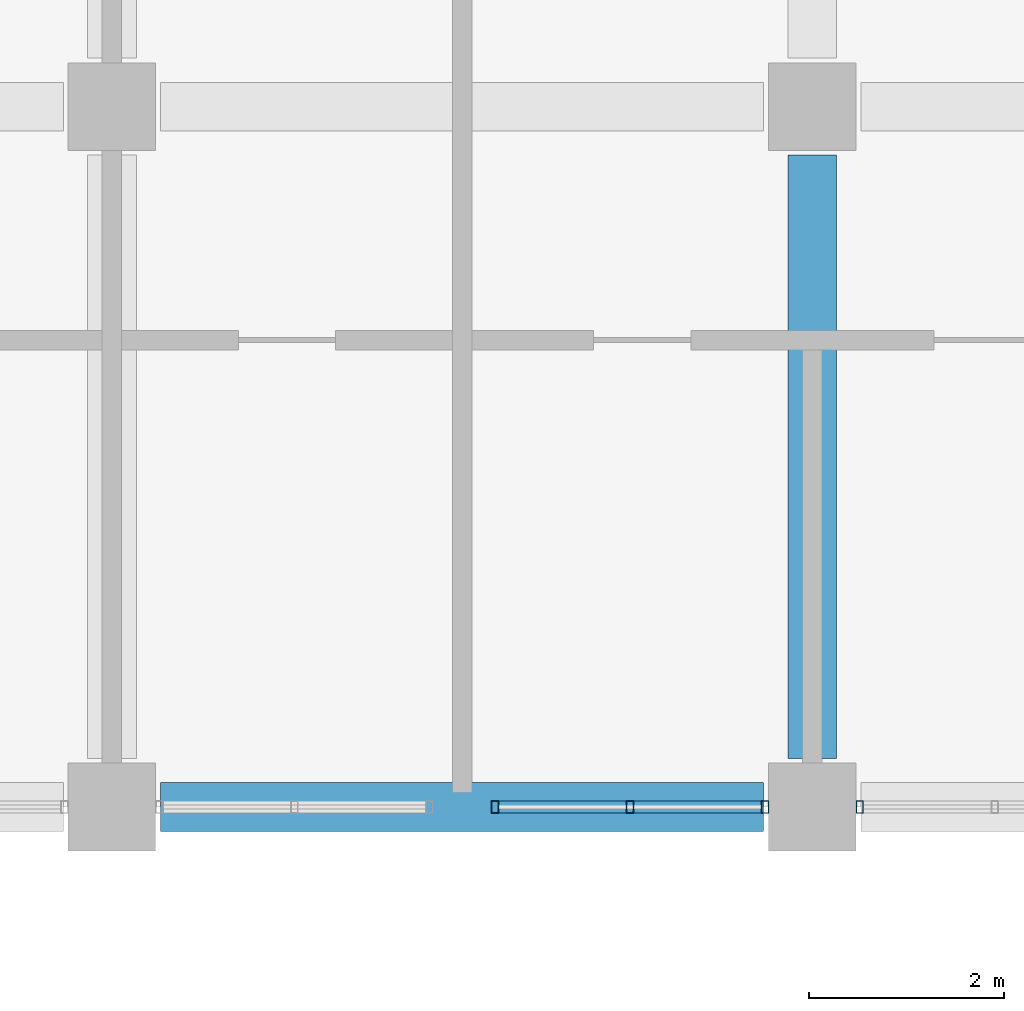
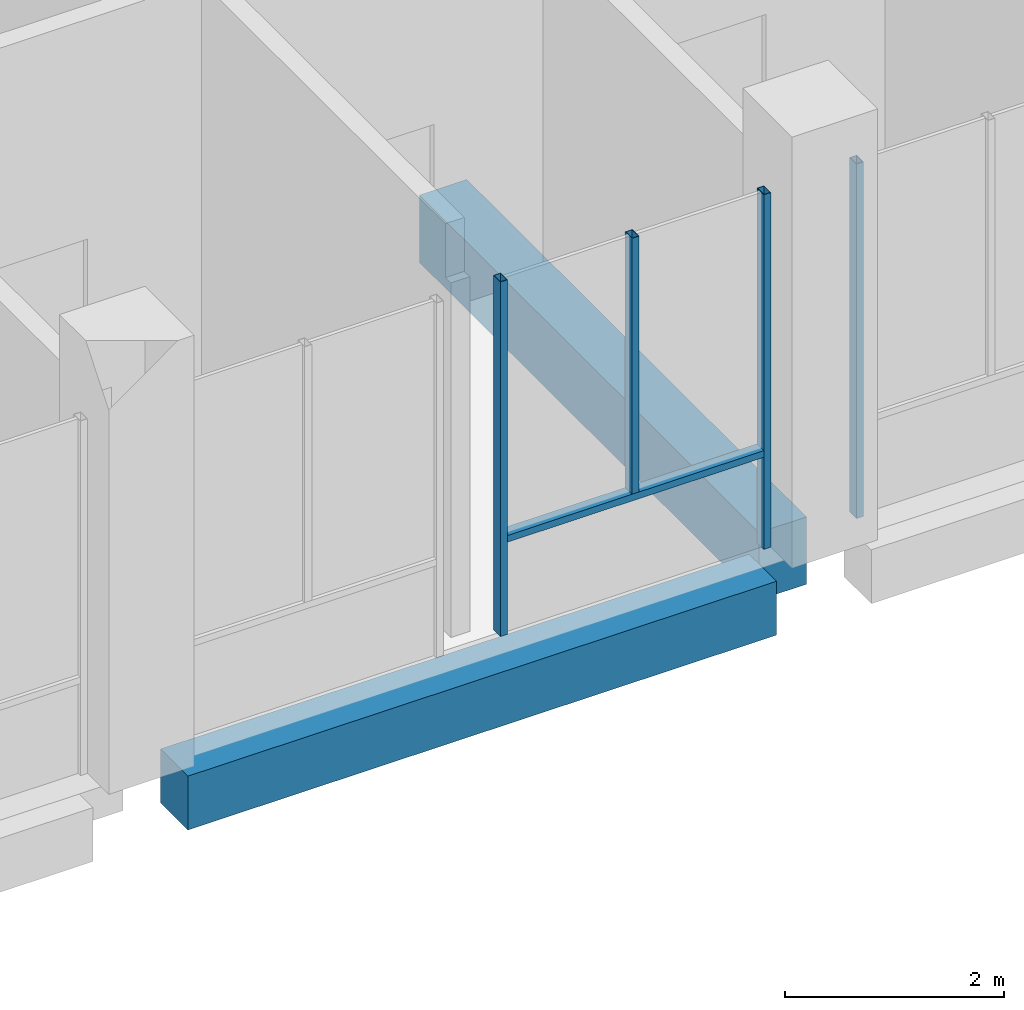
# One storey, part 8 of 40: 5 members, 2 beams, 2 elements without a shape of their own.
"""IFC4 building model written with IfcOpenShell, lengths in metres."""

from ifc_helpers import new_model, si_unit, direction, frame, origin, origin_2d, place, context, subcontext, project, spatial, rectangle, hollow_rectangle, extrude, material, material_profile, profile_set, type_object, element, aggregate, save


model = new_model("IFC4")

# Units and contexts
model_context = context("Model", 3, precision=1e-05, world=origin(), true_north=direction((0.0, 1.0)))
body_context = subcontext(model_context, "Body", "Model", "MODEL_VIEW")
ifc_project = project(units=[si_unit("LENGTHUNIT", "METRE"), si_unit("AREAUNIT", "SQUARE_METRE"), si_unit("VOLUMEUNIT", "CUBIC_METRE"), si_unit("PLANEANGLEUNIT", "RADIAN"), si_unit("MASSUNIT", "GRAM", prefix="KILO")], contexts=[model_context])

# Site, building, storey
site_placement = place(None, origin())
site = spatial("IfcSite", under=ifc_project, at=site_placement, CompositionType="ELEMENT")
building_placement = place(site_placement, origin())
building = spatial("IfcBuilding", under=site, at=building_placement, Name="Silangan Lancet Faculty of Sciences", CompositionType="ELEMENT")
storey_placement = place(building_placement, frame((0.0, 0.0, 16.800048828125)))
storey = spatial("IfcBuildingStorey", under=building, at=storey_placement, Name="L03", CompositionType="ELEMENT", Elevation=16.800048828125)

# Beams
ifc_material_1 = material(Name="Concrete C40/50", Category="concrete")
ifc_material_profile_1 = material_profile(ifc_material_1, rectangle(XDim=0.5, YDim=0.60009765625, at=origin_2d()), Name="RC 500x600")
ifc_profile_set_1 = profile_set([ifc_material_profile_1], Name="Concrete C40/50")
beam_type_1 = type_object("IfcBeamType", Name="BEAM RC 500x600", PredefinedType="BEAM", material=ifc_profile_set_1)
beam_1_placement = place(storey_placement, frame((7.699951171875, 36.0, -0.550048828125), z_axis=(1.0, 0.0, 0.0), x_axis=(0.0, 1.0, 0.0)))
element("IfcBeam", 1, at=beam_1_placement, inside=storey, type_object=beam_type_1, Name="BM-L03-2F-3F", PredefinedType="BEAM", context=body_context, shape_type="SweptSolid", body=[
    extrude(rectangle(XDim=0.5, YDim=0.60009765625, at=origin_2d()), origin(), (0.0, 0.0, 1.0), 6.199951171875),
])
ifc_material_2 = material(Name="Concrete C40/50", Category="concrete")
ifc_material_profile_2 = material_profile(ifc_material_2, rectangle(XDim=0.5, YDim=0.75, at=origin_2d()), Name="RC 500x750")
ifc_profile_set_2 = profile_set([ifc_material_profile_2], Name="Concrete C40/50")
beam_type_2 = type_object("IfcBeamType", Name="BEAM RC 500x750", PredefinedType="BEAM", material=ifc_profile_set_2)
beam_2_placement = place(storey_placement, frame((14.39990234375, 36.5, -0.625), z_axis=(0.0, 1.0, 0.0), x_axis=(-1.0, 0.0, 0.0)))
element("IfcBeam", 2, at=beam_2_placement, inside=storey, type_object=beam_type_2, Name="BM-L03-3F-3G", PredefinedType="BEAM", context=body_context, shape_type="SweptSolid", body=[
    extrude(rectangle(XDim=0.5, YDim=0.75, at=origin_2d()), origin(), (0.0, 0.0, 1.0), 6.199951171875),
])

# Curtain wall, members
ifc_material_3 = material(Name="Aluminium framed curtain wall with insulated glass", Category="aluminium")
curtain_wall_type = type_object("IfcCurtainWallType", Name="CW2 Atrium fire-resisting screen", PredefinedType="NOTDEFINED", material=ifc_material_3)
curtain_wall_1_placement = place(storey_placement, origin())
curtain_wall_1 = element("IfcCurtainWall", 3, at=curtain_wall_1_placement, inside=storey, type_object=curtain_wall_type, Name="CW2 Atrium north L03 bay 4", PredefinedType="NOTDEFINED")
ifc_material_4 = material(Name="Steel S355J2H", Category="steel")
ifc_material_profile_3 = material_profile(ifc_material_4, hollow_rectangle(XDim=0.074951171875, YDim=0.125, WallThickness=0.0048828125, at=origin_2d()), Name="ST BOX 75x125x5")
ifc_profile_set_3 = profile_set([ifc_material_profile_3], Name="Steel S355J2H")
member_type_1 = type_object("IfcMemberType", Name="CM2 Mullion 75x125", PredefinedType="MULLION", material=ifc_profile_set_3)
member_1_placement = place(storey_placement, frame((11.137451171875, 36.0, 0.0), z_axis=(0.0, 0.0, 1.0), x_axis=(1.0, 0.0, 0.0)))
member_1 = element("IfcMember", 4, at=member_1_placement, type_object=member_type_1, Name="CW2 Atrium north L03 bay 4 mullion 1", PredefinedType="MULLION", context=body_context, shape_type="SweptSolid", body=[
    extrude(hollow_rectangle(XDim=0.074951171875, YDim=0.125, WallThickness=0.0048828125, at=origin_2d()), origin(), (0.0, 0.0, 1.0), 3.949951171875),
])
member_2_placement = place(storey_placement, frame((13.91259765625, 36.0, 0.0), z_axis=(0.0, 0.0, 1.0), x_axis=(1.0, 0.0, 0.0)))
member_2 = element("IfcMember", 5, at=member_2_placement, type_object=member_type_1, Name="CW2 Atrium north L03 bay 4 mullion 2", PredefinedType="MULLION", context=body_context, shape_type="SweptSolid", body=[
    extrude(hollow_rectangle(XDim=0.074951171875, YDim=0.125, WallThickness=0.0048828125, at=origin_2d()), origin(), (0.0, 0.0, 1.0), 3.949951171875),
])
member_3_placement = place(storey_placement, frame((12.52490234375, 36.0, 1.099853515625), z_axis=(0.0, 0.0, 1.0), x_axis=(1.0, 0.0, 0.0)))
member_3 = element("IfcMember", 6, at=member_3_placement, type_object=member_type_1, Name="CW2 Atrium north L03 bay 4 mullion 3", PredefinedType="MULLION", context=body_context, shape_type="SweptSolid", body=[
    extrude(hollow_rectangle(XDim=0.074951171875, YDim=0.125, WallThickness=0.0048828125, at=origin_2d()), origin(), (0.0, 0.0, 1.0), 2.85009765625),
])

# Curtain wall, member
curtain_wall_2_placement = place(storey_placement, origin())
curtain_wall_2 = element("IfcCurtainWall", 7, at=curtain_wall_2_placement, inside=storey, type_object=curtain_wall_type, Name="CW2 Atrium north L03 bay 5", PredefinedType="NOTDEFINED")
member_4_placement = place(storey_placement, frame((14.887451171875, 36.0, 0.0), z_axis=(0.0, 0.0, 1.0), x_axis=(1.0, 0.0, 0.0)))
member_4 = element("IfcMember", 8, at=member_4_placement, type_object=member_type_1, Name="CW2 Atrium north L03 bay 5 mullion 1", PredefinedType="MULLION", context=body_context, shape_type="SweptSolid", body=[
    extrude(hollow_rectangle(XDim=0.074951171875, YDim=0.125, WallThickness=0.0048828125, at=origin_2d()), origin(), (0.0, 0.0, 1.0), 3.949951171875),
])
aggregate(curtain_wall_2, [member_4])

# Member
ifc_material_5 = material(Name="Steel S355J2H", Category="steel")
ifc_material_profile_4 = material_profile(ifc_material_5, hollow_rectangle(XDim=0.125, YDim=0.074951171875, WallThickness=0.0048828125, at=origin_2d()), Name="ST BOX 125x75x5")
ifc_profile_set_4 = profile_set([ifc_material_profile_4], Name="Steel S355J2H")
member_type_2 = type_object("IfcMemberType", Name="CT2 Transom 125x75", PredefinedType="USERDEFINED", material=ifc_profile_set_4)
member_5_placement = place(storey_placement, frame((11.175048828125, 36.0, 1.0625), z_axis=(1.0, 0.0, 0.0), x_axis=(0.0, 1.0, 0.0)))
member_5 = element("IfcMember", 9, at=member_5_placement, type_object=member_type_2, Name="CW2 Atrium north L03 bay 4 transom 1", ObjectType="TRANSOM", PredefinedType="USERDEFINED", context=body_context, shape_type="SweptSolid", body=[
    extrude(hollow_rectangle(XDim=0.125, YDim=0.074951171875, WallThickness=0.0048828125, at=origin_2d()), origin(), (0.0, 0.0, 1.0), 2.699951171875),
])

aggregate(curtain_wall_1, [member_1, member_2, member_3, member_5])

save(model, "model.ifc")
